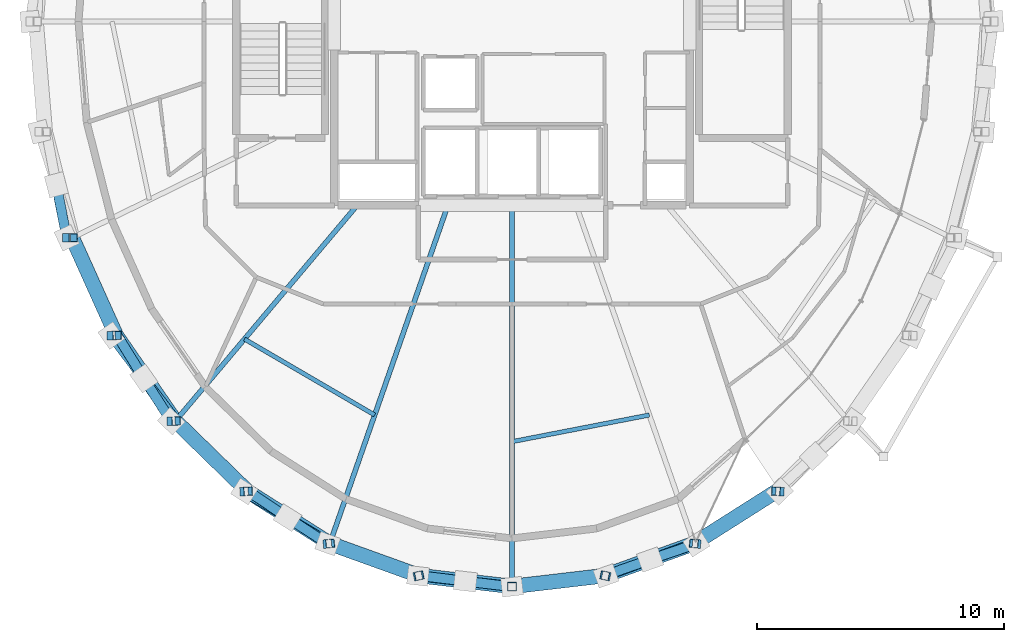
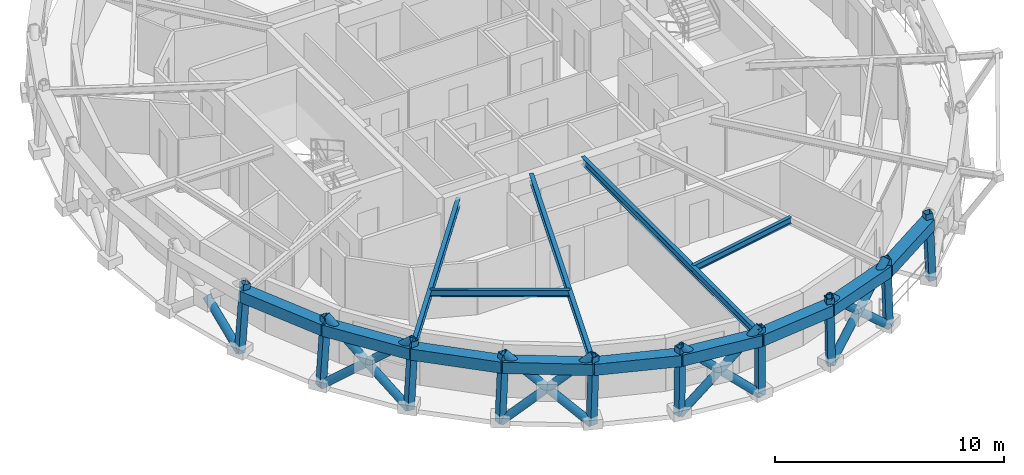
# One storey, part 1 of 14: 23 members, 14 beams.
"""IFC4 building model written with IfcOpenShell, lengths in metres."""

from ifc_helpers import new_model, si_unit, direction, frame, origin, origin_2d, place, context, subcontext, project, spatial, hollow_rectangle, hollow_circle, i_section, extrude, material, material_profile, profile_set, type_object, element, save


model = new_model("IFC4")

# Units and contexts
model_context = context("Model", 3, precision=1e-05, world=origin(), true_north=direction((0.0, 1.0)))
body_context = subcontext(model_context, "Body", "Model", "MODEL_VIEW")
ifc_project = project(units=[si_unit("LENGTHUNIT", "METRE"), si_unit("AREAUNIT", "SQUARE_METRE"), si_unit("VOLUMEUNIT", "CUBIC_METRE"), si_unit("PLANEANGLEUNIT", "RADIAN"), si_unit("MASSUNIT", "GRAM", prefix="KILO")], contexts=[model_context])

# Site, building, storey
site_placement = place(None, origin())
site = spatial("IfcSite", under=ifc_project, at=site_placement, CompositionType="ELEMENT")
building_placement = place(site_placement, origin())
building = spatial("IfcBuilding", under=site, at=building_placement, Name="Veldorina Hangang Commons", CompositionType="ELEMENT")
storey_placement = place(building_placement, frame((0.0, 0.0, 294.0)))
storey = spatial("IfcBuildingStorey", under=building, at=storey_placement, Name="L77", CompositionType="ELEMENT", Elevation=294.0)

# Beams
ifc_material_1 = material(Name="Steel SM460-TMC", Category="steel")
ifc_material_profile_1 = material_profile(ifc_material_1, hollow_rectangle(XDim=0.60009765625, YDim=0.60009765625, WallThickness=0.030029296875, at=origin_2d()), Name="BOX-600x600x30")
ifc_profile_set_1 = profile_set([ifc_material_profile_1], Name="Steel SM460-TMC")
beam_type_1 = type_object("IfcBeamType", Name="BM-BLT600", PredefinedType="BEAM", material=ifc_profile_set_1)
beam_1_placement = place(storey_placement, frame((14.17138671875, 15.235595703125, 3.0), z_axis=(0.41066155676, -0.911787851312, 0.0), x_axis=(0.911787851312, 0.41066155676, 0.0)))
element("IfcBeam", 1, at=beam_1_placement, inside=storey, type_object=beam_type_1, Name="L77 perimeter hoop ring beam 18", PredefinedType="BEAM", context=body_context, shape_type="SweptSolid", body=[
    extrude(hollow_rectangle(XDim=0.60009765625, YDim=0.60009765625, WallThickness=0.030029296875, at=origin_2d()), origin(), (0.0, 0.0, 1.0), 4.34228515625),
])
beam_2_placement = place(storey_placement, frame((15.95458984375, 11.2763671875, 3.0), z_axis=(0.56877362676, -0.822494110315, 0.0), x_axis=(0.822494110315, 0.56877362676, 0.0)))
element("IfcBeam", 2, at=beam_2_placement, inside=storey, type_object=beam_type_1, Name="L77 perimeter hoop ring beam 19", PredefinedType="BEAM", context=body_context, shape_type="SweptSolid", body=[
    extrude(hollow_rectangle(XDim=0.60009765625, YDim=0.60009765625, WallThickness=0.030029296875, at=origin_2d()), origin(), (0.0, 0.0, 1.0), 4.219482421875),
])
beam_3_placement = place(storey_placement, frame((18.3544921875, 7.805908203125, 3.0), z_axis=(0.716345315759, -0.697745934126, 0.0), x_axis=(0.697745934126, 0.716345315759, 0.0)))
element("IfcBeam", 3, at=beam_3_placement, inside=storey, type_object=beam_type_1, Name="L77 perimeter hoop ring beam 20", PredefinedType="BEAM", context=body_context, shape_type="SweptSolid", body=[
    extrude(hollow_rectangle(XDim=0.60009765625, YDim=0.60009765625, WallThickness=0.030029296875, at=origin_2d()), origin(), (0.0, 0.0, 1.0), 4.082275390625),
])
beam_4_placement = place(storey_placement, frame((21.27880859375, 4.95751953125, 3.0), z_axis=(0.844441768272, -0.535647365341, 0.0), x_axis=(0.535647365341, 0.844441768272, 0.0)))
element("IfcBeam", 4, at=beam_4_placement, inside=storey, type_object=beam_type_1, Name="L77 perimeter hoop ring beam 21", PredefinedType="BEAM", context=body_context, shape_type="SweptSolid", body=[
    extrude(hollow_rectangle(XDim=0.60009765625, YDim=0.60009765625, WallThickness=0.030029296875, at=origin_2d()), origin(), (0.0, 0.0, 1.0), 3.95068359375),
])
beam_5_placement = place(storey_placement, frame((24.614990234375, 2.84130859375, 3.0), z_axis=(0.940889029654, -0.338714974392, 0.0), x_axis=(0.338714974392, 0.940889029654, 0.0)))
element("IfcBeam", 5, at=beam_5_placement, inside=storey, type_object=beam_type_1, Name="L77 perimeter hoop ring beam 22", PredefinedType="BEAM", context=body_context, shape_type="SweptSolid", body=[
    extrude(hollow_rectangle(XDim=0.60009765625, YDim=0.60009765625, WallThickness=0.030029296875, at=origin_2d()), origin(), (0.0, 0.0, 1.0), 3.84765625),
])
for number, where, z_axis, x_axis, name in (
    (6, (28.235107421875, 1.5380859375, 3.0), (0.99323431992, -0.116127454693, 0.0), (0.116127454693, 0.99323431992, 0.0), "L77 perimeter hoop ring beam 23"),
    (7, (32.0, 1.097900390625, 3.0), (0.99323431992, 0.116127454693, 0.0), (-0.116127454693, 0.99323431992, 0.0), "L77 perimeter hoop ring beam 24"),
):
    element("IfcBeam", number, at=place(storey_placement, frame(where, z_axis=z_axis, x_axis=x_axis)), inside=storey, type_object=beam_type_1, Name=name, PredefinedType="BEAM", context=body_context, shape_type="SweptSolid", body=[
        extrude(hollow_rectangle(XDim=0.60009765625, YDim=0.60009765625, WallThickness=0.030029296875, at=origin_2d()), origin(), (0.0, 0.0, 1.0), 3.79052734375),
    ])
beam_6_placement = place(storey_placement, frame((35.764892578125, 1.5380859375, 3.0), z_axis=(0.940889029654, 0.338714974392, 0.0), x_axis=(-0.338714974392, 0.940889029654, 0.0)))
element("IfcBeam", 8, at=beam_6_placement, inside=storey, type_object=beam_type_1, Name="L77 perimeter hoop ring beam 25", PredefinedType="BEAM", context=body_context, shape_type="SweptSolid", body=[
    extrude(hollow_rectangle(XDim=0.60009765625, YDim=0.60009765625, WallThickness=0.030029296875, at=origin_2d()), origin(), (0.0, 0.0, 1.0), 3.84765625),
])
beam_7_placement = place(storey_placement, frame((39.385009765625, 2.84130859375, 3.0), z_axis=(0.844441768272, 0.535647365341, 0.0), x_axis=(-0.535647365341, 0.844441768272, 0.0)))
element("IfcBeam", 9, at=beam_7_placement, inside=storey, type_object=beam_type_1, Name="L77 perimeter hoop ring beam 26", PredefinedType="BEAM", context=body_context, shape_type="SweptSolid", body=[
    extrude(hollow_rectangle(XDim=0.60009765625, YDim=0.60009765625, WallThickness=0.030029296875, at=origin_2d()), origin(), (0.0, 0.0, 1.0), 3.95068359375),
])
ifc_material_2 = material(Name="Steel SM355-TMC", Category="steel")
ifc_material_profile_2 = material_profile(ifc_material_2, i_section(OverallWidth=0.199951171875, OverallDepth=0.39990234375, WebThickness=0.008056640625, FlangeThickness=0.012939453125, FilletRadius=0.012939453125, at=origin_2d()), Name="H-400x200x8x13")
ifc_profile_set_2 = profile_set([ifc_material_profile_2], Name="Steel SM355-TMC")
beam_type_2 = type_object("IfcBeamType", Name="BM-FG400", PredefinedType="BEAM", material=ifc_profile_set_2)
beam_8_placement = place(storey_placement, frame((25.722412109375, 16.550048828125, 3.10009765625), z_axis=(-0.644362553982, -0.764720144253, 0.0), x_axis=(0.764720144253, -0.644362553982, 0.0)))
element("IfcBeam", 10, at=beam_8_placement, inside=storey, type_object=beam_type_2, Name="L77 radial floor girder 11", PredefinedType="BEAM", context=body_context, shape_type="SweptSolid", body=[
    extrude(i_section(OverallWidth=0.199951171875, OverallDepth=0.39990234375, WebThickness=0.008056640625, FlangeThickness=0.012939453125, FilletRadius=0.012939453125, at=origin_2d()), origin(), (0.0, 0.0, 1.0), 11.434326171875),
])
beam_9_placement = place(storey_placement, frame((29.39990234375, 16.550048828125, 3.10009765625), z_axis=(-0.329543666577, -0.944140334812, 0.0), x_axis=(0.944140334812, -0.329543666577, 0.0)))
element("IfcBeam", 11, at=beam_9_placement, inside=storey, type_object=beam_type_2, Name="L77 radial floor girder 12", PredefinedType="BEAM", context=body_context, shape_type="SweptSolid", body=[
    extrude(i_section(OverallWidth=0.199951171875, OverallDepth=0.39990234375, WebThickness=0.008056640625, FlangeThickness=0.012939453125, FilletRadius=0.012939453125, at=origin_2d()), origin(), (0.0, 0.0, 1.0), 14.519775390625),
])
beam_10_placement = place(storey_placement, frame((32.0, 16.550048828125, 3.10009765625), z_axis=(0.0, -1.0, 0.0), x_axis=(1.0, 0.0, 0.0)))
element("IfcBeam", 12, at=beam_10_placement, inside=storey, type_object=beam_type_2, Name="L77 radial floor girder 13", PredefinedType="BEAM", context=body_context, shape_type="SweptSolid", body=[
    extrude(i_section(OverallWidth=0.199951171875, OverallDepth=0.39990234375, WebThickness=0.008056640625, FlangeThickness=0.012939453125, FilletRadius=0.012939453125, at=origin_2d()), origin(), (0.0, 0.0, 1.0), 15.4521484375),
])
ifc_material_profile_3 = material_profile(ifc_material_2, i_section(OverallWidth=0.175048828125, OverallDepth=0.35009765625, WebThickness=0.007080078125, FlangeThickness=0.010986328125, FilletRadius=0.012939453125, at=origin_2d()), Name="H-350x175x7x11")
ifc_profile_set_3 = profile_set([ifc_material_profile_3], Name="Steel SM355-TMC")
beam_type_3 = type_object("IfcBeamType", Name="BM-JST350", PredefinedType="JOIST", material=ifc_profile_set_3)
beam_11_placement = place(storey_placement, frame((21.154296875, 11.128662109375, 3.125), z_axis=(0.863873072181, -0.503709554366, 0.0), x_axis=(0.503709554366, 0.863873072181, 0.0)))
element("IfcBeam", 13, at=beam_11_placement, inside=storey, type_object=beam_type_3, Name="L77 secondary floor joist 11", PredefinedType="JOIST", context=body_context, shape_type="SweptSolid", body=[
    extrude(i_section(OverallWidth=0.175048828125, OverallDepth=0.35009765625, WebThickness=0.007080078125, FlangeThickness=0.010986328125, FilletRadius=0.012939453125, at=origin_2d()), origin(), (0.0, 0.0, 1.0), 6.11083984375),
])
beam_12_placement = place(storey_placement, frame((32.0, 6.9697265625, 3.125), z_axis=(0.981668009101, 0.190598845502, 0.0), x_axis=(-0.190598845502, 0.981668009101, 0.0)))
element("IfcBeam", 14, at=beam_12_placement, inside=storey, type_object=beam_type_3, Name="L77 secondary floor joist 13", PredefinedType="JOIST", context=body_context, shape_type="SweptSolid", body=[
    extrude(i_section(OverallWidth=0.175048828125, OverallDepth=0.35009765625, WebThickness=0.007080078125, FlangeThickness=0.010986328125, FilletRadius=0.012939453125, at=origin_2d()), origin(), (0.0, 0.0, 1.0), 5.670654296875),
])

# Members
ifc_material_profile_4 = material_profile(ifc_material_2, hollow_circle(Radius=0.199951171875, WallThickness=0.02001953125, at=origin_2d()), Name="CHS-400x20")
ifc_profile_set_4 = profile_set([ifc_material_profile_4], Name="Steel SM355-TMC")
member_type_1 = type_object("IfcMemberType", Name="DG-CHS400", PredefinedType="BRACE", material=ifc_profile_set_4)
member_1_placement = place(storey_placement, frame((13.951171875, 15.23193359375, 0.0), z_axis=(-0.149245991795, 0.75793552696, 0.635027063128), x_axis=(-0.981159154887, -0.193201223549, 0.0)))
element("IfcMember", 15, at=member_1_placement, inside=storey, type_object=member_type_1, Name="L77 split perimeter diagrid lower brace 18", PredefinedType="BRACE", context=body_context, shape_type="SweptSolid", body=[
    extrude(hollow_circle(Radius=0.199951171875, WallThickness=0.02001953125, at=origin_2d()), origin(), (0.0, 0.0, 1.0), 2.83642578125),
])
member_2_placement = place(storey_placement, frame((15.75634765625, 11.270751953125, 0.0), z_axis=(0.466105560378, -0.613374163221, 0.637587439084), x_axis=(0.796198964653, 0.605034882205, 0.0)))
element("IfcMember", 16, at=member_2_placement, inside=storey, type_object=member_type_1, Name="L77 continuous perimeter diagrid brace 19", PredefinedType="BRACE", context=body_context, shape_type="SweptSolid", body=[
    extrude(hollow_circle(Radius=0.199951171875, WallThickness=0.02001953125, at=origin_2d()), origin(), (0.0, 0.0, 1.0), 5.646484375),
])
member_3_placement = place(storey_placement, frame((18.18603515625, 7.798583984375, 0.0), z_axis=(-0.405364228591, 0.633715845489, 0.658850566787), x_axis=(-0.842400481881, -0.538851953811, 0.0)))
element("IfcMember", 17, at=member_3_placement, inside=storey, type_object=member_type_1, Name="L77 split perimeter diagrid lower brace 20", PredefinedType="BRACE", context=body_context, shape_type="SweptSolid", body=[
    extrude(hollow_circle(Radius=0.199951171875, WallThickness=0.02001953125, at=origin_2d()), origin(), (0.0, 0.0, 1.0), 2.7392578125),
])
member_4_placement = place(storey_placement, frame((17.07568359375, 9.534423828125, 1.8046875), z_axis=(-0.396752863045, 0.639372164623, 0.658627664748), x_axis=(-0.849699007903, -0.527268049448, 0.0)))
element("IfcMember", 18, at=member_4_placement, inside=storey, type_object=member_type_1, Name="L77 split perimeter diagrid upper brace 20", PredefinedType="BRACE", context=body_context, shape_type="SweptSolid", body=[
    extrude(hollow_circle(Radius=0.199951171875, WallThickness=0.02001953125, at=origin_2d()), origin(), (0.0, 0.0, 1.0), 2.72607421875),
])
member_5_placement = place(storey_placement, frame((21.146484375, 4.94921875, 0.0), z_axis=(0.641392003948, -0.387386040194, 0.662229834072), x_axis=(0.516996718392, 0.855987379096, 0.0)))
element("IfcMember", 19, at=member_5_placement, inside=storey, type_object=member_type_1, Name="L77 continuous perimeter diagrid brace 21", PredefinedType="BRACE", context=body_context, shape_type="SweptSolid", body=[
    extrude(hollow_circle(Radius=0.199951171875, WallThickness=0.02001953125, at=origin_2d()), origin(), (0.0, 0.0, 1.0), 5.436279296875),
])
member_6_placement = place(storey_placement, frame((24.52392578125, 2.83203125, 0.0), z_axis=(-0.61257060409, 0.39911437105, 0.682249935014), x_axis=(-0.545895207691, -0.837853461066, 0.0)))
element("IfcMember", 20, at=member_6_placement, inside=storey, type_object=member_type_1, Name="L77 split perimeter diagrid lower brace 22", PredefinedType="BRACE", context=body_context, shape_type="SweptSolid", body=[
    extrude(hollow_circle(Radius=0.199951171875, WallThickness=0.02001953125, at=origin_2d()), origin(), (0.0, 0.0, 1.0), 2.65234375),
])
member_7_placement = place(storey_placement, frame((22.899169921875, 3.890625, 1.8095703125), z_axis=(-0.607261150256, 0.407166368669, 0.682238553305), x_axis=(-0.556900369163, -0.830579303153, 0.0)))
element("IfcMember", 21, at=member_7_placement, inside=storey, type_object=member_type_1, Name="L77 split perimeter diagrid upper brace 22", PredefinedType="BRACE", context=body_context, shape_type="SweptSolid", body=[
    extrude(hollow_circle(Radius=0.199951171875, WallThickness=0.02001953125, at=origin_2d()), origin(), (0.0, 0.0, 1.0), 2.62451171875),
])
member_8_placement = place(storey_placement, frame((28.188720703125, 1.528076171875, 0.0), z_axis=(0.724550072719, -0.081361621772, 0.684403008925), x_axis=(0.111591255932, 0.993754190733, 0.0)))
element("IfcMember", 22, at=member_8_placement, inside=storey, type_object=member_type_1, Name="L77 continuous perimeter diagrid brace 23", PredefinedType="BRACE", context=body_context, shape_type="SweptSolid", body=[
    extrude(hollow_circle(Radius=0.199951171875, WallThickness=0.02001953125, at=origin_2d()), origin(), (0.0, 0.0, 1.0), 5.26025390625),
])
member_9_placement = place(storey_placement, frame((32.0, 1.087890625, 0.0), z_axis=(-0.719356053015, 0.085405545073, 0.689371280125), x_axis=(-0.117896988526, -0.993025830528, 0.0)))
element("IfcMember", 23, at=member_9_placement, inside=storey, type_object=member_type_1, Name="L77 split perimeter diagrid lower brace 24", PredefinedType="BRACE", context=body_context, shape_type="SweptSolid", body=[
    extrude(hollow_circle(Radius=0.199951171875, WallThickness=0.02001953125, at=origin_2d()), origin(), (0.0, 0.0, 1.0), 2.6298828125),
])
member_10_placement = place(storey_placement, frame((30.108154296875, 1.3125, 1.81298828125), z_axis=(-0.719009066763, 0.087780514831, 0.689434944813), x_axis=(-0.121185621228, -0.992629863145, 0.0)))
element("IfcMember", 24, at=member_10_placement, inside=storey, type_object=member_type_1, Name="L77 split perimeter diagrid upper brace 24", PredefinedType="BRACE", context=body_context, shape_type="SweptSolid", body=[
    extrude(hollow_circle(Radius=0.199951171875, WallThickness=0.02001953125, at=origin_2d()), origin(), (0.0, 0.0, 1.0), 2.592041015625),
])
member_11_placement = place(storey_placement, frame((35.811279296875, 1.528076171875, 0.0), z_axis=(0.680079600593, 0.251568276344, 0.688625543524), x_axis=(-0.346934672871, 0.937889296644, 0.0)))
element("IfcMember", 25, at=member_11_placement, inside=storey, type_object=member_type_1, Name="L77 continuous perimeter diagrid brace 25", PredefinedType="BRACE", context=body_context, shape_type="SweptSolid", body=[
    extrude(hollow_circle(Radius=0.199951171875, WallThickness=0.02001953125, at=origin_2d()), origin(), (0.0, 0.0, 1.0), 5.22802734375),
])
member_12_placement = place(storey_placement, frame((39.47607421875, 2.83203125, 0.0), z_axis=(-0.698359985855, -0.239089659307, 0.674632837156), x_axis=(0.323902374332, -0.946090509361, 0.0)))
element("IfcMember", 26, at=member_12_placement, inside=storey, type_object=member_type_1, Name="L77 split perimeter diagrid lower brace 26", PredefinedType="BRACE", context=body_context, shape_type="SweptSolid", body=[
    extrude(hollow_circle(Radius=0.199951171875, WallThickness=0.02001953125, at=origin_2d()), origin(), (0.0, 0.0, 1.0), 2.685546875),
])
member_13_placement = place(storey_placement, frame((37.6005859375, 2.18994140625, 1.811767578125), z_axis=(-0.696120480621, -0.245212745721, 0.674749572654), x_axis=(0.332245543648, -0.943192927627, 0.0)))
element("IfcMember", 27, at=member_13_placement, inside=storey, type_object=member_type_1, Name="L77 split perimeter diagrid upper brace 26", PredefinedType="BRACE", context=body_context, shape_type="SweptSolid", body=[
    extrude(hollow_circle(Radius=0.199951171875, WallThickness=0.02001953125, at=origin_2d()), origin(), (0.0, 0.0, 1.0), 2.650390625),
])
ifc_material_profile_5 = material_profile(ifc_material_2, hollow_rectangle(XDim=0.35009765625, YDim=0.35009765625, WallThickness=0.01611328125, at=origin_2d()), Name="SHS-350x350x16")
ifc_profile_set_5 = profile_set([ifc_material_profile_5], Name="Steel SM355-TMC")
member_type_2 = type_object("IfcMemberType", Name="STR-SHS350", PredefinedType="STRUT", material=ifc_profile_set_5)
member_14_placement = place(storey_placement, frame((13.951171875, 15.23193359375, 0.0), z_axis=(0.073179036176, 0.001285029286, 0.997317992099), x_axis=(-0.017557367184, 0.999845857549, 0.0)))
element("IfcMember", 28, at=member_14_placement, inside=storey, type_object=member_type_2, Name="L77 perimeter ring node post 18", PredefinedType="STRUT", context=body_context, shape_type="SweptSolid", body=[
    extrude(hollow_rectangle(XDim=0.35009765625, YDim=0.35009765625, WallThickness=0.01611328125, at=origin_2d()), origin(), (0.0, 0.0, 1.0), 3.60986328125),
])
member_15_placement = place(storey_placement, frame((15.75634765625, 11.270751953125, 0.0), z_axis=(0.065908083626, 0.001827020799, 0.997824025822), x_axis=(-0.0277100945, 0.999616001604, 0.0)))
element("IfcMember", 29, at=member_15_placement, inside=storey, type_object=member_type_2, Name="L77 perimeter ring node post 19", PredefinedType="STRUT", context=body_context, shape_type="SweptSolid", body=[
    extrude(hollow_rectangle(XDim=0.35009765625, YDim=0.35009765625, WallThickness=0.01611328125, at=origin_2d()), origin(), (0.0, 0.0, 1.0), 3.60791015625),
])
member_16_placement = place(storey_placement, frame((18.18603515625, 7.798583984375, 0.0), z_axis=(0.056062343417, 0.002437493192, 0.998424294715), x_axis=(-0.043437224276, 0.999056158355, 0.0)))
element("IfcMember", 30, at=member_16_placement, inside=storey, type_object=member_type_2, Name="L77 perimeter ring node post 20", PredefinedType="STRUT", context=body_context, shape_type="SweptSolid", body=[
    extrude(hollow_rectangle(XDim=0.35009765625, YDim=0.35009765625, WallThickness=0.01611328125, at=origin_2d()), origin(), (0.0, 0.0, 1.0), 3.605712890625),
])
member_17_placement = place(storey_placement, frame((21.146484375, 4.94921875, 0.0), z_axis=(0.044104436111, 0.002777698741, 0.999023064351), x_axis=(-0.062855496422, 0.998022638305, 0.0)))
element("IfcMember", 31, at=member_17_placement, inside=storey, type_object=member_type_2, Name="L77 perimeter ring node post 21", PredefinedType="STRUT", context=body_context, shape_type="SweptSolid", body=[
    extrude(hollow_rectangle(XDim=0.35009765625, YDim=0.35009765625, WallThickness=0.01611328125, at=origin_2d()), origin(), (0.0, 0.0, 1.0), 3.603515625),
])
member_18_placement = place(storey_placement, frame((24.52392578125, 2.83203125, 0.0), z_axis=(0.030366961309, 0.003118036206, 0.999533954156), x_axis=(-0.102141549646, 0.994769874813, 0.0)))
element("IfcMember", 32, at=member_18_placement, inside=storey, type_object=member_type_2, Name="L77 perimeter ring node post 22", PredefinedType="STRUT", context=body_context, shape_type="SweptSolid", body=[
    extrude(hollow_rectangle(XDim=0.35009765625, YDim=0.35009765625, WallThickness=0.01611328125, at=origin_2d()), origin(), (0.0, 0.0, 1.0), 3.601806640625),
])
member_19_placement = place(storey_placement, frame((28.188720703125, 1.528076171875, 0.0), z_axis=(0.015459886941, 0.003322519562, 0.999874968563), x_axis=(-0.210114736821, 0.977676734596, 0.0)))
element("IfcMember", 33, at=member_19_placement, inside=storey, type_object=member_type_2, Name="L77 perimeter ring node post 23", PredefinedType="STRUT", context=body_context, shape_type="SweptSolid", body=[
    extrude(hollow_rectangle(XDim=0.35009765625, YDim=0.35009765625, WallThickness=0.01611328125, at=origin_2d()), origin(), (0.0, 0.0, 1.0), 3.6005859375),
])
member_20_placement = place(storey_placement, frame((32.0, 1.087890625, 0.0), z_axis=(0.0, 0.003390730542, 0.999994251457), x_axis=(-1.0, 0.0, 0.0)))
element("IfcMember", 34, at=member_20_placement, inside=storey, type_object=member_type_2, Name="L77 perimeter ring node post 24", PredefinedType="STRUT", context=body_context, shape_type="SweptSolid", body=[
    extrude(hollow_rectangle(XDim=0.35009765625, YDim=0.35009765625, WallThickness=0.01611328125, at=origin_2d()), origin(), (0.0, 0.0, 1.0), 3.60009765625),
])
member_21_placement = place(storey_placement, frame((35.811279296875, 1.528076171875, 0.0), z_axis=(-0.015459886941, 0.003322519562, 0.999874968563), x_axis=(-0.210114736821, -0.977676734596, 0.0)))
element("IfcMember", 35, at=member_21_placement, inside=storey, type_object=member_type_2, Name="L77 perimeter ring node post 25", PredefinedType="STRUT", context=body_context, shape_type="SweptSolid", body=[
    extrude(hollow_rectangle(XDim=0.35009765625, YDim=0.35009765625, WallThickness=0.01611328125, at=origin_2d()), origin(), (0.0, 0.0, 1.0), 3.6005859375),
])
member_22_placement = place(storey_placement, frame((39.47607421875, 2.83203125, 0.0), z_axis=(-0.030366961309, 0.003118036206, 0.999533954156), x_axis=(-0.102141549646, -0.994769874813, 0.0)))
element("IfcMember", 36, at=member_22_placement, inside=storey, type_object=member_type_2, Name="L77 perimeter ring node post 26", PredefinedType="STRUT", context=body_context, shape_type="SweptSolid", body=[
    extrude(hollow_rectangle(XDim=0.35009765625, YDim=0.35009765625, WallThickness=0.01611328125, at=origin_2d()), origin(), (0.0, 0.0, 1.0), 3.601806640625),
])
member_23_placement = place(storey_placement, frame((42.853515625, 4.94921875, 0.0), z_axis=(-0.044104436111, 0.002777698741, 0.999023064351), x_axis=(-0.062855496422, -0.998022638305, 0.0)))
element("IfcMember", 37, at=member_23_placement, inside=storey, type_object=member_type_2, Name="L77 perimeter ring node post 27", PredefinedType="STRUT", context=body_context, shape_type="SweptSolid", body=[
    extrude(hollow_rectangle(XDim=0.35009765625, YDim=0.35009765625, WallThickness=0.01611328125, at=origin_2d()), origin(), (0.0, 0.0, 1.0), 3.603515625),
])

save(model, "model.ifc")
